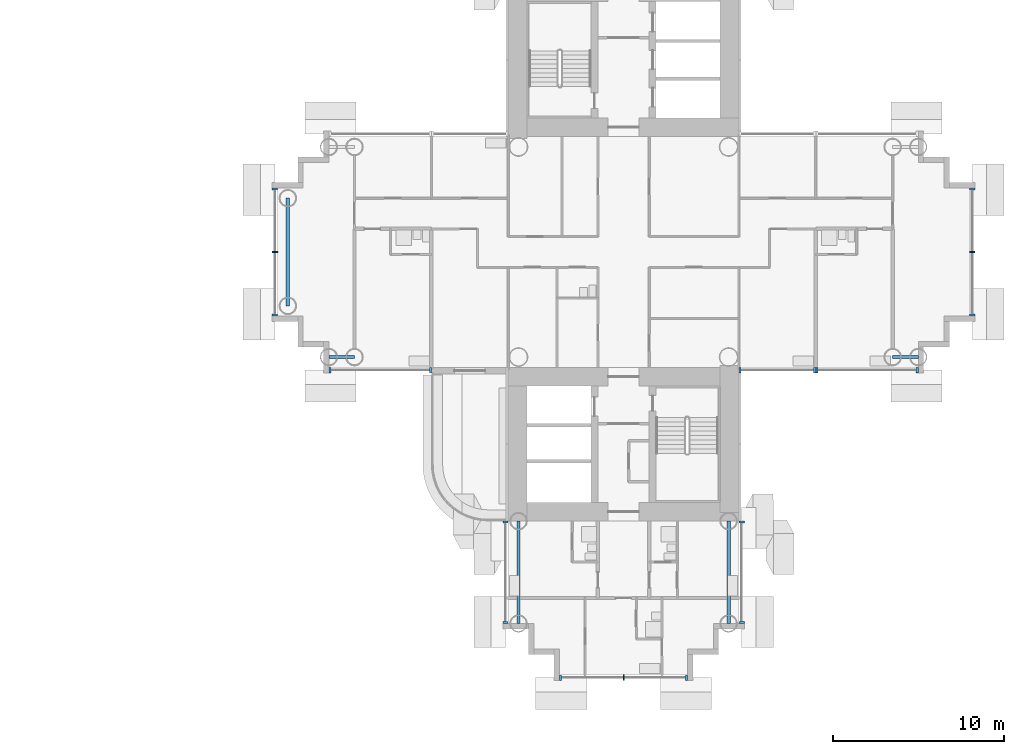
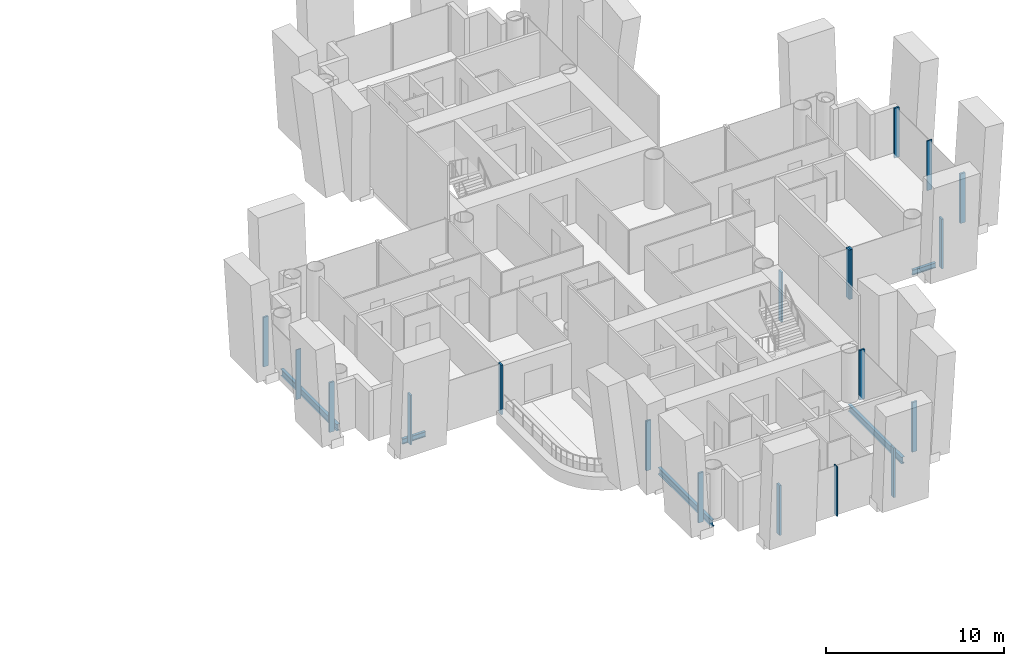
# One storey, part 6 of 23: 19 members, 5 beams, 8 elements without a shape of their own.
"""IFC4 building model written with IfcOpenShell, lengths in metres."""

from ifc_helpers import new_model, si_unit, direction, frame, origin, origin_2d, place, context, subcontext, project, spatial, rectangle, i_section, extrude, material, layer, layer_set, material_profile, profile_set, type_object, element, aggregate, save


model = new_model("IFC4")

# Units and contexts
model_context = context("Model", 3, precision=1e-05, world=origin(), true_north=direction((0.0, 1.0)))
body_context = subcontext(model_context, "Body", "Model", "MODEL_VIEW")
ifc_project = project(units=[si_unit("LENGTHUNIT", "METRE"), si_unit("AREAUNIT", "SQUARE_METRE"), si_unit("VOLUMEUNIT", "CUBIC_METRE"), si_unit("PLANEANGLEUNIT", "RADIAN"), si_unit("MASSUNIT", "GRAM", prefix="KILO")], contexts=[model_context])

# Site, building, storey
site_placement = place(None, origin())
site = spatial("IfcSite", under=ifc_project, at=site_placement, CompositionType="ELEMENT")
building_placement = place(site_placement, origin())
building = spatial("IfcBuilding", under=site, at=building_placement, Name="Ipe Terrace Towers", CompositionType="ELEMENT")
storey_placement = place(building_placement, frame((0.0, 0.0, 51.699951171875)))
storey = spatial("IfcBuildingStorey", under=building, at=storey_placement, Name="L13", CompositionType="ELEMENT", Elevation=51.699951171875)

# Beams
ifc_material_1 = material(Name="Steel S355", Category="steel")
ifc_material_profile_1 = material_profile(ifc_material_1, i_section(OverallWidth=0.175048828125, OverallDepth=0.35009765625, WebThickness=0.007080078125, FlangeThickness=0.010986328125, at=origin_2d()), Name="H-350x175x7x11")
ifc_profile_set_1 = profile_set([ifc_material_profile_1], Name="Steel S355")
beam_type_1 = type_object("IfcBeamType", Name="H04 EDGE BEAM H-350x175x7x11", PredefinedType="BEAM", material=ifc_profile_set_1)
for number, where, z_axis, x_axis, name in (
    (1, (20.25, -6.14990234375, -0.574951171875), (-1.0, 0.0, 0.0), (0.0, -1.0, 0.0), "Edge beam T2-EB-B04-B06"),
    (2, (51.75, -6.14990234375, -0.574951171875), (1.0, 0.0, 0.0), (0.0, 1.0, 0.0), "Edge beam T2-EB-D03-D05"),
):
    element("IfcBeam", number, at=place(storey_placement, frame(where, z_axis=z_axis, x_axis=x_axis)), inside=storey, type_object=beam_type_1, Name=name, PredefinedType="BEAM", context=body_context, shape_type="SweptSolid", body=[
        extrude(i_section(OverallWidth=0.175048828125, OverallDepth=0.35009765625, WebThickness=0.007080078125, FlangeThickness=0.010986328125, at=origin_2d()), origin(), (0.0, 0.0, 1.0), 1.5),
    ])
ifc_material_2 = material(Name="Steel S355", Category="steel")
ifc_material_profile_2 = material_profile(ifc_material_2, i_section(OverallWidth=0.199951171875, OverallDepth=0.449951171875, WebThickness=0.009033203125, FlangeThickness=0.013916015625, at=origin_2d()), Name="H-450x200x9x14")
ifc_profile_set_2 = profile_set([ifc_material_profile_2], Name="Steel S355")
beam_type_2 = type_object("IfcBeamType", Name="H08 EDGE BEAM H-450x200x9x14", PredefinedType="BEAM", material=ifc_profile_set_2)
beam_placement = place(storey_placement, frame((16.35009765625, 3.14990234375, -0.625), z_axis=(0.0, -1.0, 0.0), x_axis=(1.0, 0.0, 0.0)))
element("IfcBeam", 3, at=beam_placement, inside=storey, type_object=beam_type_2, Name="Edge beam T2-EB-B07-B08", PredefinedType="BEAM", context=body_context, shape_type="SweptSolid", body=[
    extrude(i_section(OverallWidth=0.199951171875, OverallDepth=0.449951171875, WebThickness=0.009033203125, FlangeThickness=0.013916015625, at=origin_2d()), origin(), (0.0, 0.0, 1.0), 6.2998046875),
])
for number, where, z_axis, x_axis, name in (
    (4, (42.14990234375, -15.75, -0.625), (0.0, -1.0, 0.0), (1.0, 0.0, 0.0), "Edge beam T2-EB-C01-C03"),
    (5, (29.85009765625, -15.75, -0.625), (0.0, -1.0, 0.0), (1.0, 0.0, 0.0), "Edge beam T2-EB-C02-C04"),
):
    element("IfcBeam", number, at=place(storey_placement, frame(where, z_axis=z_axis, x_axis=x_axis)), inside=storey, type_object=beam_type_2, Name=name, PredefinedType="BEAM", context=body_context, shape_type="SweptSolid", body=[
        extrude(i_section(OverallWidth=0.199951171875, OverallDepth=0.449951171875, WebThickness=0.009033203125, FlangeThickness=0.013916015625, at=origin_2d()), origin(), (0.0, 0.0, 1.0), 6.0),
    ])

# Curtain wall, members
ifc_material_3 = material(Name="Aluminium alloy 6063-T6", Category="aluminium")
ifc_layer = layer(ifc_material_3, 0.320068359375)
ifc_layer_set = layer_set([ifc_layer], Name="TOWER UNITISED CURTAIN WALL")
curtain_wall_type = type_object("IfcCurtainWallType", Name="TOWER UNITISED CURTAIN WALL", PredefinedType="NOTDEFINED", material=ifc_layer_set)
curtain_wall_1_placement = place(storey_placement, origin())
curtain_wall_1 = element("IfcCurtainWall", 6, at=curtain_wall_1_placement, inside=storey, type_object=curtain_wall_type, Name="T2-CW-L13-04a curtain wall", PredefinedType="NOTDEFINED")
ifc_material_4 = material(Name="Aluminium alloy 6063-T6", Category="aluminium")
ifc_material_profile_3 = material_profile(ifc_material_4, rectangle(XDim=0.320068359375, YDim=0.1201171875, at=origin_2d()), Name="TOWER UNITISED CORNER MULLION 320 x 120")
ifc_profile_set_3 = profile_set([ifc_material_profile_3], Name="Aluminium alloy 6063-T6")
member_type_1 = type_object("IfcMemberType", Name="TOWER UNITISED CORNER MULLION 320 x 120", PredefinedType="MULLION", material=ifc_profile_set_3)
member_1_placement = place(storey_placement, frame((42.909912109375, -21.68994140625, -0.300048828125), z_axis=(0.0, 0.0, 1.0), x_axis=(1.0, 0.0, 0.0)))
member_1 = element("IfcMember", 7, at=member_1_placement, type_object=member_type_1, Name="T2-CW-L13-04a mullion 1", PredefinedType="MULLION", context=body_context, shape_type="SweptSolid", body=[
    extrude(rectangle(XDim=0.320068359375, YDim=0.1201171875, at=origin_2d()), origin(), (0.0, 0.0, 1.0), 3.400146484375),
])
member_2_placement = place(storey_placement, frame((42.909912109375, -15.81103515625, -0.300048828125), z_axis=(0.0, 0.0, 1.0), x_axis=(1.0, 0.0, 0.0)))
member_2 = element("IfcMember", 8, at=member_2_placement, type_object=member_type_1, Name="T2-CW-L13-04a mullion 2", PredefinedType="MULLION", context=body_context, shape_type="SweptSolid", body=[
    extrude(rectangle(XDim=0.320068359375, YDim=0.1201171875, at=origin_2d()), origin(), (0.0, 0.0, 1.0), 3.400146484375),
])
aggregate(curtain_wall_1, [member_1, member_2])

curtain_wall_2_placement = place(storey_placement, origin())
curtain_wall_2 = element("IfcCurtainWall", 9, at=curtain_wall_2_placement, inside=storey, type_object=curtain_wall_type, Name="T2-CW-L13-06a curtain wall", PredefinedType="NOTDEFINED")
member_3_placement = place(storey_placement, frame((42.81005859375, -6.909912109375, -0.300048828125), z_axis=(0.0, 0.0, 1.0), x_axis=(0.0, -1.0, 0.0)))
member_3 = element("IfcMember", 10, at=member_3_placement, type_object=member_type_1, Name="T2-CW-L13-06a mullion 1", PredefinedType="MULLION", context=body_context, shape_type="SweptSolid", body=[
    extrude(rectangle(XDim=0.320068359375, YDim=0.1201171875, at=origin_2d()), origin(), (0.0, 0.0, 1.0), 3.400146484375),
])
member_4_placement = place(storey_placement, frame((47.18994140625, -6.909912109375, -0.300048828125), z_axis=(0.0, 0.0, 1.0), x_axis=(0.0, -1.0, 0.0)))
member_4 = element("IfcMember", 11, at=member_4_placement, type_object=member_type_1, Name="T2-CW-L13-06a mullion 2", PredefinedType="MULLION", context=body_context, shape_type="SweptSolid", body=[
    extrude(rectangle(XDim=0.320068359375, YDim=0.1201171875, at=origin_2d()), origin(), (0.0, 0.0, 1.0), 3.400146484375),
])
aggregate(curtain_wall_2, [member_3, member_4])

curtain_wall_3_placement = place(storey_placement, origin())
curtain_wall_3 = element("IfcCurtainWall", 12, at=curtain_wall_3_placement, inside=storey, type_object=curtain_wall_type, Name="T2-CW-L13-07a curtain wall", PredefinedType="NOTDEFINED")
member_5_placement = place(storey_placement, frame((47.31005859375, -6.909912109375, -0.300048828125), z_axis=(0.0, 0.0, 1.0), x_axis=(0.0, -1.0, 0.0)))
member_5 = element("IfcMember", 13, at=member_5_placement, type_object=member_type_1, Name="T2-CW-L13-07a mullion 1", PredefinedType="MULLION", context=body_context, shape_type="SweptSolid", body=[
    extrude(rectangle(XDim=0.320068359375, YDim=0.1201171875, at=origin_2d()), origin(), (0.0, 0.0, 1.0), 3.400146484375),
])
member_6_placement = place(storey_placement, frame((53.18994140625, -6.909912109375, -0.300048828125), z_axis=(0.0, 0.0, 1.0), x_axis=(0.0, -1.0, 0.0)))
member_6 = element("IfcMember", 14, at=member_6_placement, type_object=member_type_1, Name="T2-CW-L13-07a mullion 2", PredefinedType="MULLION", context=body_context, shape_type="SweptSolid", body=[
    extrude(rectangle(XDim=0.320068359375, YDim=0.1201171875, at=origin_2d()), origin(), (0.0, 0.0, 1.0), 3.400146484375),
])
aggregate(curtain_wall_3, [member_5, member_6])

curtain_wall_4_placement = place(storey_placement, origin())
curtain_wall_4 = element("IfcCurtainWall", 15, at=curtain_wall_4_placement, inside=storey, type_object=curtain_wall_type, Name="T2-CW-L13-12a curtain wall", PredefinedType="NOTDEFINED")
member_7_placement = place(storey_placement, frame((56.409912109375, -3.68994140625, -0.300048828125), z_axis=(0.0, 0.0, 1.0), x_axis=(1.0, 0.0, 0.0)))
member_7 = element("IfcMember", 16, at=member_7_placement, type_object=member_type_1, Name="T2-CW-L13-12a mullion 1", PredefinedType="MULLION", context=body_context, shape_type="SweptSolid", body=[
    extrude(rectangle(XDim=0.320068359375, YDim=0.1201171875, at=origin_2d()), origin(), (0.0, 0.0, 1.0), 3.400146484375),
])
member_8_placement = place(storey_placement, frame((56.409912109375, 3.68994140625, -0.300048828125), z_axis=(0.0, 0.0, 1.0), x_axis=(1.0, 0.0, 0.0)))
member_8 = element("IfcMember", 17, at=member_8_placement, type_object=member_type_1, Name="T2-CW-L13-12a mullion 3", PredefinedType="MULLION", context=body_context, shape_type="SweptSolid", body=[
    extrude(rectangle(XDim=0.320068359375, YDim=0.1201171875, at=origin_2d()), origin(), (0.0, 0.0, 1.0), 3.400146484375),
])

curtain_wall_5_placement = place(storey_placement, origin())
curtain_wall_5 = element("IfcCurtainWall", 18, at=curtain_wall_5_placement, inside=storey, type_object=curtain_wall_type, Name="T2-CW-L13-38a curtain wall", PredefinedType="NOTDEFINED")
member_9_placement = place(storey_placement, frame((15.590087890625, 3.68994140625, -0.300048828125), z_axis=(0.0, 0.0, 1.0), x_axis=(-1.0, 0.0, 0.0)))
member_9 = element("IfcMember", 19, at=member_9_placement, type_object=member_type_1, Name="T2-CW-L13-38a mullion 1", PredefinedType="MULLION", context=body_context, shape_type="SweptSolid", body=[
    extrude(rectangle(XDim=0.320068359375, YDim=0.1201171875, at=origin_2d()), origin(), (0.0, 0.0, 1.0), 3.400146484375),
])
member_10_placement = place(storey_placement, frame((15.590087890625, -3.68994140625, -0.300048828125), z_axis=(0.0, 0.0, 1.0), x_axis=(-1.0, 0.0, 0.0)))
member_10 = element("IfcMember", 20, at=member_10_placement, type_object=member_type_1, Name="T2-CW-L13-38a mullion 3", PredefinedType="MULLION", context=body_context, shape_type="SweptSolid", body=[
    extrude(rectangle(XDim=0.320068359375, YDim=0.1201171875, at=origin_2d()), origin(), (0.0, 0.0, 1.0), 3.400146484375),
])

curtain_wall_6_placement = place(storey_placement, origin())
curtain_wall_6 = element("IfcCurtainWall", 21, at=curtain_wall_6_placement, inside=storey, type_object=curtain_wall_type, Name="T2-CW-L13-43a curtain wall", PredefinedType="NOTDEFINED")
member_11_placement = place(storey_placement, frame((18.81005859375, -6.909912109375, -0.300048828125), z_axis=(0.0, 0.0, 1.0), x_axis=(0.0, -1.0, 0.0)))
member_11 = element("IfcMember", 22, at=member_11_placement, type_object=member_type_1, Name="T2-CW-L13-43a mullion 1", PredefinedType="MULLION", context=body_context, shape_type="SweptSolid", body=[
    extrude(rectangle(XDim=0.320068359375, YDim=0.1201171875, at=origin_2d()), origin(), (0.0, 0.0, 1.0), 3.400146484375),
])
member_12_placement = place(storey_placement, frame((24.68994140625, -6.909912109375, -0.300048828125), z_axis=(0.0, 0.0, 1.0), x_axis=(0.0, -1.0, 0.0)))
member_12 = element("IfcMember", 23, at=member_12_placement, type_object=member_type_1, Name="T2-CW-L13-43a mullion 2", PredefinedType="MULLION", context=body_context, shape_type="SweptSolid", body=[
    extrude(rectangle(XDim=0.320068359375, YDim=0.1201171875, at=origin_2d()), origin(), (0.0, 0.0, 1.0), 3.400146484375),
])
aggregate(curtain_wall_6, [member_11, member_12])

curtain_wall_7_placement = place(storey_placement, origin())
curtain_wall_7 = element("IfcCurtainWall", 24, at=curtain_wall_7_placement, inside=storey, type_object=curtain_wall_type, Name="T2-CW-L13-46b curtain wall", PredefinedType="NOTDEFINED")
member_13_placement = place(storey_placement, frame((29.090087890625, -15.81103515625, -0.300048828125), z_axis=(0.0, 0.0, 1.0), x_axis=(-1.0, 0.0, 0.0)))
member_13 = element("IfcMember", 25, at=member_13_placement, type_object=member_type_1, Name="T2-CW-L13-46b mullion 1", PredefinedType="MULLION", context=body_context, shape_type="SweptSolid", body=[
    extrude(rectangle(XDim=0.320068359375, YDim=0.1201171875, at=origin_2d()), origin(), (0.0, 0.0, 1.0), 3.400146484375),
])
member_14_placement = place(storey_placement, frame((29.090087890625, -21.68994140625, -0.300048828125), z_axis=(0.0, 0.0, 1.0), x_axis=(-1.0, 0.0, 0.0)))
member_14 = element("IfcMember", 26, at=member_14_placement, type_object=member_type_1, Name="T2-CW-L13-46b mullion 2", PredefinedType="MULLION", context=body_context, shape_type="SweptSolid", body=[
    extrude(rectangle(XDim=0.320068359375, YDim=0.1201171875, at=origin_2d()), origin(), (0.0, 0.0, 1.0), 3.400146484375),
])
aggregate(curtain_wall_7, [member_13, member_14])

curtain_wall_8_placement = place(storey_placement, origin())
curtain_wall_8 = element("IfcCurtainWall", 27, at=curtain_wall_8_placement, inside=storey, type_object=curtain_wall_type, Name="T2-CW-L13-51a curtain wall", PredefinedType="NOTDEFINED")
member_15_placement = place(storey_placement, frame((32.31005859375, -24.909912109375, -0.300048828125), z_axis=(0.0, 0.0, 1.0), x_axis=(0.0, -1.0, 0.0)))
member_15 = element("IfcMember", 28, at=member_15_placement, type_object=member_type_1, Name="T2-CW-L13-51a mullion 1", PredefinedType="MULLION", context=body_context, shape_type="SweptSolid", body=[
    extrude(rectangle(XDim=0.320068359375, YDim=0.1201171875, at=origin_2d()), origin(), (0.0, 0.0, 1.0), 3.400146484375),
])
member_16_placement = place(storey_placement, frame((39.68994140625, -24.909912109375, -0.300048828125), z_axis=(0.0, 0.0, 1.0), x_axis=(0.0, -1.0, 0.0)))
member_16 = element("IfcMember", 29, at=member_16_placement, type_object=member_type_1, Name="T2-CW-L13-51a mullion 3", PredefinedType="MULLION", context=body_context, shape_type="SweptSolid", body=[
    extrude(rectangle(XDim=0.320068359375, YDim=0.1201171875, at=origin_2d()), origin(), (0.0, 0.0, 1.0), 3.400146484375),
])

# Member
ifc_material_5 = material(Name="Aluminium alloy 6063-T6", Category="aluminium")
ifc_material_profile_4 = material_profile(ifc_material_5, rectangle(XDim=0.320068359375, YDim=0.06494140625, at=origin_2d()), Name="TOWER UNITISED MULLION 320 x 65")
ifc_profile_set_4 = profile_set([ifc_material_profile_4], Name="Aluminium alloy 6063-T6")
member_type_2 = type_object("IfcMemberType", Name="TOWER UNITISED MULLION 320 x 65", PredefinedType="MULLION", material=ifc_profile_set_4)
member_17_placement = place(storey_placement, frame((56.409912109375, 0.0, -0.300048828125), z_axis=(0.0, 0.0, 1.0), x_axis=(1.0, 0.0, 0.0)))
member_17 = element("IfcMember", 30, at=member_17_placement, type_object=member_type_2, Name="T2-CW-L13-12a mullion 2", PredefinedType="MULLION", context=body_context, shape_type="SweptSolid", body=[
    extrude(rectangle(XDim=0.320068359375, YDim=0.06494140625, at=origin_2d()), origin(), (0.0, 0.0, 1.0), 3.400146484375),
])

aggregate(curtain_wall_4, [member_7, member_17, member_8])

member_18_placement = place(storey_placement, frame((15.590087890625, 0.0, -0.300048828125), z_axis=(0.0, 0.0, 1.0), x_axis=(-1.0, 0.0, 0.0)))
member_18 = element("IfcMember", 31, at=member_18_placement, type_object=member_type_2, Name="T2-CW-L13-38a mullion 2", PredefinedType="MULLION", context=body_context, shape_type="SweptSolid", body=[
    extrude(rectangle(XDim=0.320068359375, YDim=0.06494140625, at=origin_2d()), origin(), (0.0, 0.0, 1.0), 3.400146484375),
])

aggregate(curtain_wall_5, [member_9, member_18, member_10])

member_19_placement = place(storey_placement, frame((36.0, -24.909912109375, -0.300048828125), z_axis=(0.0, 0.0, 1.0), x_axis=(0.0, -1.0, 0.0)))
member_19 = element("IfcMember", 32, at=member_19_placement, type_object=member_type_2, Name="T2-CW-L13-51a mullion 2", PredefinedType="MULLION", context=body_context, shape_type="SweptSolid", body=[
    extrude(rectangle(XDim=0.320068359375, YDim=0.06494140625, at=origin_2d()), origin(), (0.0, 0.0, 1.0), 3.400146484375),
])

aggregate(curtain_wall_8, [member_15, member_19, member_16])

save(model, "model.ifc")
